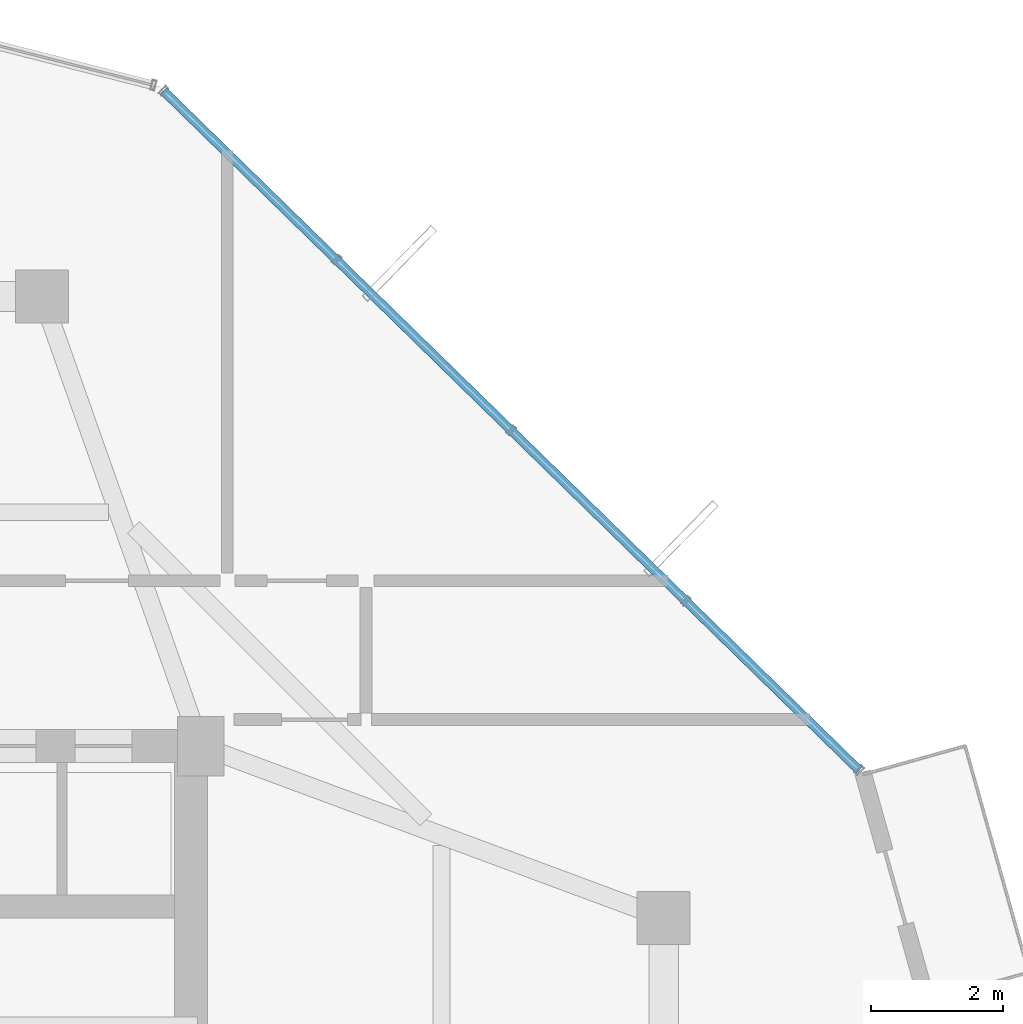
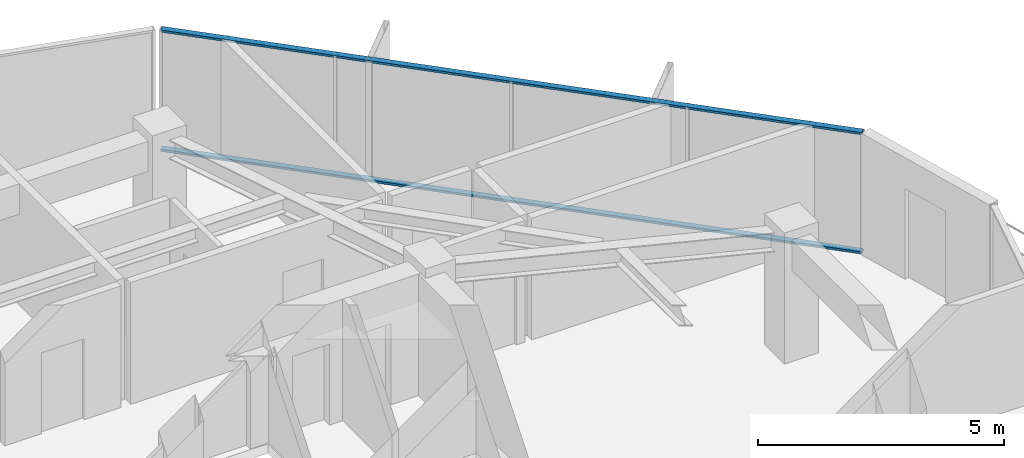
# One storey, part 17 of 29: 2 members, 1 element without a shape of its own.
"""IFC4 building model written with IfcOpenShell, lengths in metres."""

import ifcopenshell
import ifcopenshell.guid

model = None  # the IFC model being written
_history = None  # IfcOwnerHistory: only IFC2X3 demands one
_inside = {}  # id of a spatial element -> (the spatial element, [elements in it])
_under = {}  # id of a project, library or spatial element -> (it, [spatial elements below it])
_declared = {}  # id of a project -> (the project, [libraries it declares])
_typed = {}  # id of a type object -> (the type object, [elements of that type])
_made_of = {}  # id of a material, layer set ... -> (it, [elements and type objects made of it])


def new_model(schema):
    """Start an empty IFC model of exactly this schema.

    Asked for "IFC4X3", IfcOpenShell would pick the latest addendum, in which some entities
    have other attributes; the version numbers below select the first issue.
    IFC2X3 requires an IfcOwnerHistory on every rooted entity: one is made here for all.
    """
    global model, _history
    if schema == "IFC4X3":
        model = ifcopenshell.file(schema_version=(4, 3, 0, 0))
    else:
        model = ifcopenshell.file(schema=schema)
    _inside.clear()
    _under.clear()
    _declared.clear()
    _typed.clear()
    _made_of.clear()
    _history = None
    if model.schema == "IFC2X3":
        org = make("IfcOrganization", Name="unknown")
        user = make(
            "IfcPersonAndOrganization",
            ThePerson=make("IfcPerson", FamilyName="unknown"),
            TheOrganization=org,
        )
        app = make(
            "IfcApplication",
            ApplicationDeveloper=org,
            Version="unknown",
            ApplicationFullName="unknown",
            ApplicationIdentifier="unknown",
        )
        _history = make(
            "IfcOwnerHistory",
            OwningUser=user,
            OwningApplication=app,
            ChangeAction="ADDED",
            CreationDate=0,
        )
    return model


def make(cls, **values):
    """One entity of the class cls with the attributes given. An attribute that is None is left unset."""
    return model.create_entity(
        cls, **{name: value for name, value in values.items() if value is not None}
    )


def rooted(cls, **values):
    """An entity with a GlobalId (a new one), such as an element, a storey or a relation."""
    return make(cls, GlobalId=ifcopenshell.guid.new(), OwnerHistory=_history, **values)


def si_unit(unit_type, name, prefix=None):
    """IfcSIUnit, for example si_unit("LENGTHUNIT", "METRE", prefix="MILLI")."""
    return make("IfcSIUnit", UnitType=unit_type, Prefix=prefix, Name=name)


def assignment(units):
    """IfcUnitAssignment: the units of a project."""
    return None if units is None else make("IfcUnitAssignment", Units=units)


def point(xyz):
    """IfcCartesianPoint."""
    return None if xyz is None else make("IfcCartesianPoint", Coordinates=xyz)


def direction(xyz):
    """IfcDirection."""
    return None if xyz is None else make("IfcDirection", DirectionRatios=xyz)


def frame(location, z_axis=None, x_axis=None):
    """IfcAxis2Placement3D, a coordinate frame: its origin and axes. An axis left out is left unset."""
    return make(
        "IfcAxis2Placement3D",
        Location=point(location),
        Axis=direction(z_axis),
        RefDirection=direction(x_axis),
    )


def frame_2d(location, x_axis=None):
    """IfcAxis2Placement2D, a coordinate frame in the plane: its origin and x axis."""
    return make(
        "IfcAxis2Placement2D", Location=point(location), RefDirection=direction(x_axis)
    )


def origin():
    """The frame at (0, 0, 0) with its axes left unset."""
    return frame((0.0, 0.0, 0.0))


def origin_2d():
    """The frame at (0, 0) in the plane with its x axis left unset."""
    return frame_2d((0.0, 0.0))


def place(relative_to, where):
    """IfcLocalPlacement: puts the frame where relative to a parent placement (None: the world)."""
    return make(
        "IfcLocalPlacement", PlacementRelTo=relative_to, RelativePlacement=where
    )


def context(
    kind, dimensions, precision=None, world=None, true_north=None, identifier=None
):
    """IfcGeometricRepresentationContext, for example the 3D "Model" context."""
    return make(
        "IfcGeometricRepresentationContext",
        ContextIdentifier=identifier,
        ContextType=kind,
        CoordinateSpaceDimension=dimensions,
        Precision=precision,
        WorldCoordinateSystem=world,
        TrueNorth=true_north,
    )


def subcontext(parent, identifier, kind, view, scale=None):
    """IfcGeometricRepresentationSubContext, for example "Body" below "Model"."""
    return make(
        "IfcGeometricRepresentationSubContext",
        ContextIdentifier=identifier,
        ContextType=kind,
        ParentContext=parent,
        TargetScale=scale,
        TargetView=view,
    )


def project(units=None, contexts=None):
    """IfcProject with its units and contexts."""
    return rooted(
        "IfcProject",
        Name="project",
        RepresentationContexts=contexts,
        UnitsInContext=assignment(units),
    )


def spatial(cls, under=None, at=None, **own):
    """A site, building, storey or space (cls), placed at a placement, below another one or the project."""
    s = rooted(cls, ObjectPlacement=at, **own)
    if under is not None:
        _under.setdefault(under.id(), (under, []))[1].append(s)
    return s


def profile(cls, at=None, kind="AREA", **sizes):
    """A parametric profile (cls). Its sizes go by their IFC names, for example OverallWidth=200.0."""
    return make(cls, ProfileType=kind, Position=at, **sizes)


def hollow_rectangle(**sizes):
    """IfcRectangleHollowProfileDef."""
    return profile("IfcRectangleHollowProfileDef", **sizes)


def extrude(swept, where, along, depth):
    """IfcExtrudedAreaSolid: the profile swept, set in the frame where, extruded along a direction by depth."""
    return make(
        "IfcExtrudedAreaSolid",
        SweptArea=swept,
        Position=where,
        ExtrudedDirection=direction(along),
        Depth=depth,
    )


def shape(context_of_items, identifier, shape_type, items):
    """IfcShapeRepresentation: the items that make up one representation, for example the "Body"."""
    return make(
        "IfcShapeRepresentation",
        ContextOfItems=context_of_items,
        RepresentationIdentifier=identifier,
        RepresentationType=shape_type,
        Items=items,
    )


def source(mapping_origin, context_of_items, identifier, shape_type, items):
    """IfcRepresentationMap: a shape defined once, which mapped items show again and again."""
    return make(
        "IfcRepresentationMap",
        MappingOrigin=mapping_origin,
        MappedRepresentation=shape(context_of_items, identifier, shape_type, items),
    )


def transform(
    local_origin,
    x_axis=None,
    y_axis=None,
    z_axis=None,
    scale=None,
    scale2=None,
    scale3=None,
    uniform=True,
):
    """IfcCartesianTransformationOperator3D, or its non-uniform kind. x_axis, y_axis, z_axis: its Axis1, 2, 3."""
    if uniform:
        return make(
            "IfcCartesianTransformationOperator3D",
            Axis1=direction(x_axis),
            Axis2=direction(y_axis),
            LocalOrigin=point(local_origin),
            Scale=scale,
            Axis3=direction(z_axis),
        )
    return make(
        "IfcCartesianTransformationOperator3DnonUniform",
        Axis1=direction(x_axis),
        Axis2=direction(y_axis),
        LocalOrigin=point(local_origin),
        Scale=scale,
        Axis3=direction(z_axis),
        Scale2=scale2,
        Scale3=scale3,
    )


def mapped(mapping_source, mapping_target):
    """IfcMappedItem: shows the shape of a source again, moved by a transform."""
    return make(
        "IfcMappedItem", MappingSource=mapping_source, MappingTarget=mapping_target
    )


def material(Name=None, Category=None):
    """IfcMaterial."""
    return make("IfcMaterial", Name=Name, Category=Category)


def layer(
    of_material, thickness, ventilated=None, Name=None, Category=None, Priority=None
):
    """IfcMaterialLayer: one layer of a wall or slab, of a material (None: an air gap)."""
    return make(
        "IfcMaterialLayer",
        Material=of_material,
        LayerThickness=thickness,
        IsVentilated=ventilated,
        Name=Name,
        Category=Category,
        Priority=Priority,
    )


def layer_set(layers, Name=None):
    """IfcMaterialLayerSet."""
    return make("IfcMaterialLayerSet", MaterialLayers=layers, LayerSetName=Name)


def material_profile(
    of_material, cross_section, Name=None, Category=None, Priority=None
):
    """IfcMaterialProfile: a cross section and its material."""
    return make(
        "IfcMaterialProfile",
        Name=Name,
        Material=of_material,
        Profile=cross_section,
        Priority=Priority,
        Category=Category,
    )


def profile_set(profiles, Name=None, composite=None):
    """IfcMaterialProfileSet."""
    return make(
        "IfcMaterialProfileSet",
        Name=Name,
        MaterialProfiles=profiles,
        CompositeProfile=composite,
    )


def made_of(thing, what):
    """Note that an element or type object is made of a material, layer set ...; save() writes the relation."""
    if what is not None:
        _made_of.setdefault(what.id(), (what, []))[1].append(thing)
    return thing


def type_object(cls, material=None, **own):
    """A type object (cls), such as IfcWallType, which elements share."""
    return made_of(rooted(cls, **own), material)


def element(
    cls,
    number,
    at=None,
    inside=None,
    cuts=None,
    type_object=None,
    material=None,
    context=None,
    identifier="Body",
    shape_type=None,
    held_by="IfcProductDefinitionShape",
    body=None,
    shapes=None,
    **own,
):
    """One element of the class cls, such as IfcWall. Its Tag is "e" and its number.

    at: its placement. inside: the storey or other place that contains it. cuts: it is an
    opening in that element (IfcRelVoidsElement). A single representation is given by context,
    identifier, shape_type and body (its items); several are given by shapes. held_by: the class
    of the entity that holds the representations. save() writes the other relations.
    """
    e = rooted(cls, Tag="e%d" % number, ObjectPlacement=at, **own)
    if body is not None:
        shapes = [shape(context, identifier, shape_type, body)]
    if shapes is not None:
        e.Representation = make(held_by, Representations=shapes)
    if inside is not None:
        _inside.setdefault(inside.id(), (inside, []))[1].append(e)
    if cuts is not None:
        rooted(
            "IfcRelVoidsElement", RelatingBuildingElement=cuts, RelatedOpeningElement=e
        )
    if type_object is not None:
        _typed.setdefault(type_object.id(), (type_object, []))[1].append(e)
    return made_of(e, material)


def aggregate(whole, parts):
    """IfcRelAggregates: a whole, such as a stair, and the parts it consists of."""
    return rooted("IfcRelAggregates", RelatingObject=whole, RelatedObjects=parts)


def save(model, path):
    """Write the relations noted so far, then the file.

    IfcRelAggregates (storeys below a building ...), IfcRelContainedInSpatialStructure (elements
    in a storey), IfcRelDefinesByType, IfcRelAssociatesMaterial and IfcRelDeclares: one each for
    every whole, place, type object, material and project.
    """
    for whole, parts in _under.values():
        aggregate(whole, parts)
    for where, things in _inside.values():
        rooted(
            "IfcRelContainedInSpatialStructure",
            RelatedElements=things,
            RelatingStructure=where,
        )
    for kind, things in _typed.values():
        rooted("IfcRelDefinesByType", RelatedObjects=things, RelatingType=kind)
    for what, things in _made_of.values():
        rooted("IfcRelAssociatesMaterial", RelatedObjects=things, RelatingMaterial=what)
    for by, libraries in _declared.values():
        rooted("IfcRelDeclares", RelatingContext=by, RelatedDefinitions=libraries)
    model.write(path)


model = new_model("IFC4")

# Units and contexts
model_context = context("Model", 3, precision=1e-05, world=origin(), true_north=direction((0.0, 1.0)))
body_context = subcontext(model_context, "Body", "Model", "MODEL_VIEW")
ifc_project = project(units=[si_unit("LENGTHUNIT", "METRE"), si_unit("AREAUNIT", "SQUARE_METRE"), si_unit("VOLUMEUNIT", "CUBIC_METRE"), si_unit("PLANEANGLEUNIT", "RADIAN"), si_unit("MASSUNIT", "GRAM", prefix="KILO")], contexts=[model_context])

# Site, building, storey
site_placement = place(None, origin())
site = spatial("IfcSite", under=ifc_project, at=site_placement, CompositionType="ELEMENT")
building_placement = place(site_placement, origin())
building = spatial("IfcBuilding", under=site, at=building_placement, Name="Veraguas Prism Commons", CompositionType="ELEMENT")
storey_placement = place(building_placement, frame((0.0, 0.0, 257.75)))
storey = spatial("IfcBuildingStorey", under=building, at=storey_placement, Name="L73", CompositionType="ELEMENT", Elevation=257.75)

# Curtain wall, members
ifc_material = material(Name="Anodised aluminium EN AW-6063 T6", Category="aluminium")
ifc_layer = layer(ifc_material, 0.14990234375, Name="Unitised Flush Curtain Wall Zone 4", Category="aluminium")
ifc_layer_set = layer_set([ifc_layer], Name="Anodised aluminium EN AW-6063 T6")
curtain_wall_type = type_object("IfcCurtainWallType", Name="Unitised Flush Curtain Wall Zone 4", PredefinedType="NOTDEFINED", material=ifc_layer_set)
curtain_wall_placement = place(storey_placement, origin())
curtain_wall = element("IfcCurtainWall", 1, at=curtain_wall_placement, inside=storey, type_object=curtain_wall_type, Name="Tower Facade Curtain Wall L73-F1", PredefinedType="NOTDEFINED")
ifc_material_profile = material_profile(ifc_material, hollow_rectangle(XDim=0.054931640625, YDim=0.135009765625, WallThickness=0.0029296875, at=origin_2d()), Name="AL55X135X3")
ifc_profile_set = profile_set([ifc_material_profile], Name="Anodised aluminium EN AW-6063 T6")
member_type = type_object("IfcMemberType", Name="Curtain Wall Transom Standard AL 55x135x3", PredefinedType="USERDEFINED", material=ifc_profile_set)
shared_shape = source(origin(), body_context, "Body", "SweptSolid", [
    extrude(hollow_rectangle(XDim=0.054931640625, YDim=0.135009765625, WallThickness=0.0029296875, at=origin_2d()), origin(), (0.0, 0.0, 1.0), 14.70654296875),
])
member_1_placement = place(storey_placement, frame((40.757080078125, 30.634765625, 0.027587890625), z_axis=(-0.715448735913, 0.69866523191, 0.0), x_axis=(0.0, 0.0, 1.0)))
member_1 = element("IfcMember", 2, at=member_1_placement, type_object=member_type, Name="CW-Z4 Transom 1", ObjectType="TRANSOM", PredefinedType="USERDEFINED", context=body_context, shape_type="MappedRepresentation", body=[
    mapped(shared_shape, transform((0.0, 0.0, 0.0), scale=1.0)),
])
member_2_placement = place(storey_placement, frame((40.757080078125, 30.634765625, 2.987548828125), z_axis=(-0.715448735913, 0.69866523191, 0.0), x_axis=(0.0, 0.0, 1.0)))
member_2 = element("IfcMember", 3, at=member_2_placement, type_object=member_type, Name="CW-Z4 Transom 2", ObjectType="TRANSOM", PredefinedType="USERDEFINED", context=body_context, shape_type="MappedRepresentation", body=[
    mapped(shared_shape, transform((0.0, 0.0, 0.0), scale=1.0)),
])
aggregate(curtain_wall, [member_1, member_2])

save(model, "model.ifc")
